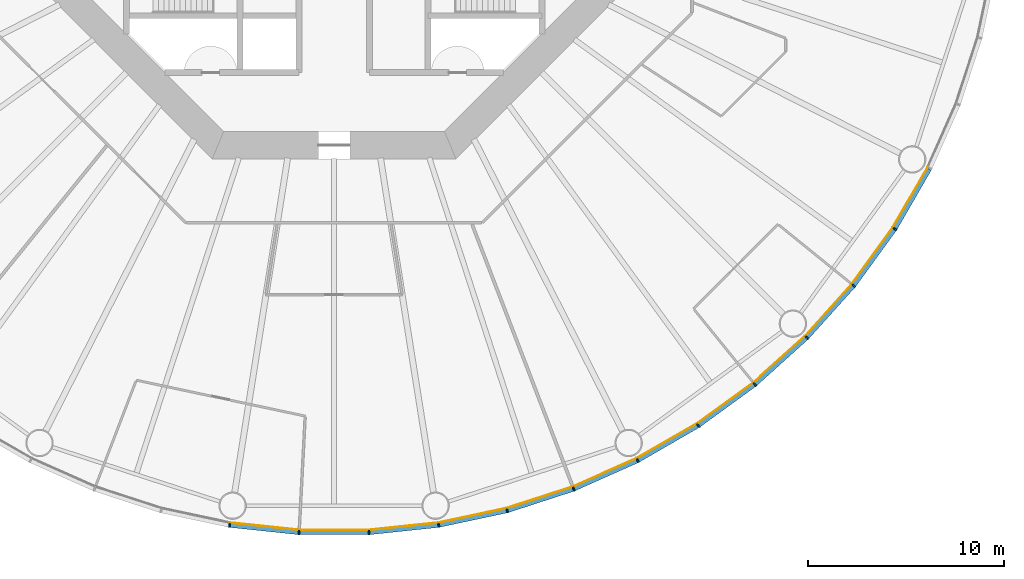
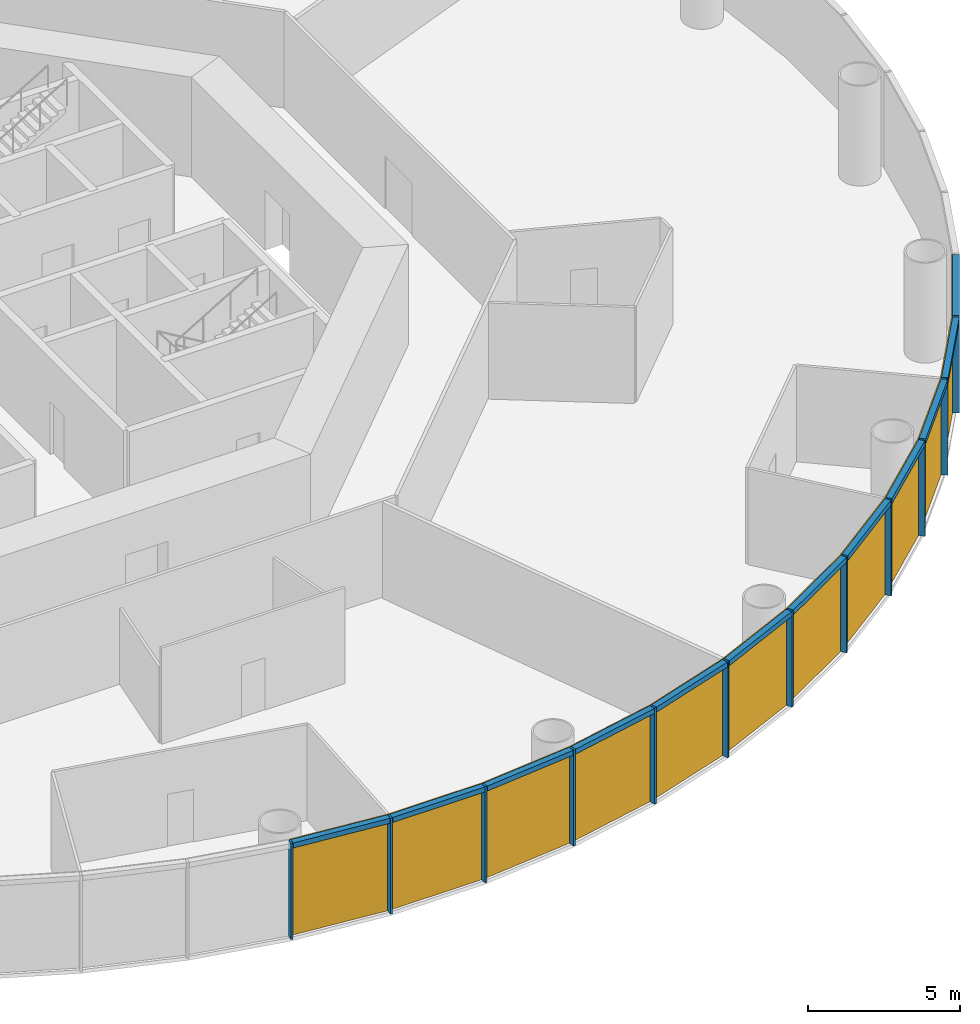
# One storey, part 8 of 13: 24 members, 4 curtain walls.
"""IFC4 building model written with IfcOpenShell, lengths in metres."""

from ifc_helpers import new_model, si_unit, direction, frame, origin, origin_2d, place, context, subcontext, project, spatial, polyline, rectangle, outline, extrude, material, layer, layer_set, material_profile, profile_set, type_object, element, aggregate, save


model = new_model("IFC4")

# Units and contexts
model_context = context("Model", 3, precision=1e-05, world=origin(), true_north=direction((0.0, 1.0)))
body_context = subcontext(model_context, "Body", "Model", "MODEL_VIEW")
ifc_project = project(units=[si_unit("LENGTHUNIT", "METRE"), si_unit("AREAUNIT", "SQUARE_METRE"), si_unit("VOLUMEUNIT", "CUBIC_METRE"), si_unit("PLANEANGLEUNIT", "RADIAN"), si_unit("MASSUNIT", "GRAM", prefix="KILO")], contexts=[model_context])

# Member
ifc_material_1 = material(Name="Anodised aluminium", Category="aluminium")
ifc_material_profile_1 = material_profile(ifc_material_1, rectangle(XDim=0.074951171875, YDim=0.219970703125, at=origin_2d()), Name="Mullion 75 x 220 mm anodised aluminium")
ifc_profile_set_1 = profile_set([ifc_material_profile_1], Name="Anodised aluminium")
member_type_1 = type_object("IfcMemberType", Name="Mullion 75 x 220 mm anodised aluminium", PredefinedType="MULLION", material=ifc_profile_set_1)
site_placement = place(None, origin())
building_placement = place(site_placement, origin())
storey_placement = place(building_placement, frame((0.0, 0.0, 62.0)))
member_1_placement = place(storey_placement, frame((84.6640625, 46.31005859375, 0.0), z_axis=(0.0, 0.0, 1.0), x_axis=(0.987688340595, -0.15643446504, 0.0)))
member_1 = element("IfcMember", 1, at=member_1_placement, type_object=member_type_1, Name="MULLION L13-42", PredefinedType="MULLION", context=body_context, shape_type="SweptSolid", body=[
    extrude(rectangle(XDim=0.074951171875, YDim=0.219970703125, at=origin_2d()), origin(), (0.0, 0.0, 1.0), 3.85009765625),
])

member_2_placement = place(storey_placement, frame((88.21484375, 45.936767578125, 0.0), z_axis=(0.0, 0.0, 1.0), x_axis=(0.998629534755, -0.052335956243, 0.0)))
member_2 = element("IfcMember", 2, at=member_2_placement, type_object=member_type_1, Name="MULLION L13-43", PredefinedType="MULLION", context=body_context, shape_type="SweptSolid", body=[
    extrude(rectangle(XDim=0.074951171875, YDim=0.219970703125, at=origin_2d()), origin(), (0.0, 0.0, 1.0), 3.85009765625),
])

member_3_placement = place(storey_placement, frame((91.78515625, 45.936767578125, 0.0), z_axis=(0.0, 0.0, 1.0), x_axis=(0.998629534755, 0.052335956243, 0.0)))
member_3 = element("IfcMember", 3, at=member_3_placement, type_object=member_type_1, Name="MULLION L13-44", PredefinedType="MULLION", context=body_context, shape_type="SweptSolid", body=[
    extrude(rectangle(XDim=0.074951171875, YDim=0.219970703125, at=origin_2d()), origin(), (0.0, 0.0, 1.0), 3.85009765625),
])

member_4_placement = place(storey_placement, frame((95.3359375, 46.31005859375, 0.0), z_axis=(0.0, 0.0, 1.0), x_axis=(0.987688340595, 0.15643446504, 0.0)))
member_4 = element("IfcMember", 4, at=member_4_placement, type_object=member_type_1, Name="MULLION L13-45", PredefinedType="MULLION", context=body_context, shape_type="SweptSolid", body=[
    extrude(rectangle(XDim=0.074951171875, YDim=0.219970703125, at=origin_2d()), origin(), (0.0, 0.0, 1.0), 3.85009765625),
])

member_5_placement = place(storey_placement, frame((98.828369140625, 47.05224609375, 0.0), z_axis=(0.0, 0.0, 1.0), x_axis=(0.965925826289, 0.258819045103, 0.0)))
member_5 = element("IfcMember", 5, at=member_5_placement, type_object=member_type_1, Name="MULLION L13-46", PredefinedType="MULLION", context=body_context, shape_type="SweptSolid", body=[
    extrude(rectangle(XDim=0.074951171875, YDim=0.219970703125, at=origin_2d()), origin(), (0.0, 0.0, 1.0), 3.85009765625),
])

member_6_placement = place(storey_placement, frame((102.223876953125, 48.155517578125, 0.0), z_axis=(0.0, 0.0, 1.0), x_axis=(0.933580426497, 0.358367949545, 0.0)))
member_6 = element("IfcMember", 6, at=member_6_placement, type_object=member_type_1, Name="MULLION L13-47", PredefinedType="MULLION", context=body_context, shape_type="SweptSolid", body=[
    extrude(rectangle(XDim=0.074951171875, YDim=0.219970703125, at=origin_2d()), origin(), (0.0, 0.0, 1.0), 3.85009765625),
])

member_7_placement = place(storey_placement, frame((105.485595703125, 49.607666015625, 0.0), z_axis=(0.0, 0.0, 1.0), x_axis=(0.891006524188, 0.45399049974, 0.0)))
member_7 = element("IfcMember", 7, at=member_7_placement, type_object=member_type_1, Name="MULLION L13-48", PredefinedType="MULLION", context=body_context, shape_type="SweptSolid", body=[
    extrude(rectangle(XDim=0.074951171875, YDim=0.219970703125, at=origin_2d()), origin(), (0.0, 0.0, 1.0), 3.85009765625),
])

member_8_placement = place(storey_placement, frame((108.57763671875, 51.39306640625, 0.0), z_axis=(0.0, 0.0, 1.0), x_axis=(0.838670567945, 0.544639035015, 0.0)))
member_8 = element("IfcMember", 8, at=member_8_placement, type_object=member_type_1, Name="MULLION L13-49", PredefinedType="MULLION", context=body_context, shape_type="SweptSolid", body=[
    extrude(rectangle(XDim=0.074951171875, YDim=0.219970703125, at=origin_2d()), origin(), (0.0, 0.0, 1.0), 3.85009765625),
])

member_9_placement = place(storey_placement, frame((111.466064453125, 53.491455078125, 0.0), z_axis=(0.0, 0.0, 1.0), x_axis=(0.777145961457, 0.62932039105, 0.0)))
member_9 = element("IfcMember", 9, at=member_9_placement, type_object=member_type_1, Name="MULLION L13-50", PredefinedType="MULLION", context=body_context, shape_type="SweptSolid", body=[
    extrude(rectangle(XDim=0.074951171875, YDim=0.219970703125, at=origin_2d()), origin(), (0.0, 0.0, 1.0), 3.85009765625),
])

member_10_placement = place(storey_placement, frame((114.119384765625, 55.880615234375, 0.0), z_axis=(0.0, 0.0, 1.0), x_axis=(0.707106781187, 0.707106781187, 0.0)))
member_10 = element("IfcMember", 10, at=member_10_placement, type_object=member_type_1, Name="MULLION L13-51", PredefinedType="MULLION", context=body_context, shape_type="SweptSolid", body=[
    extrude(rectangle(XDim=0.074951171875, YDim=0.219970703125, at=origin_2d()), origin(), (0.0, 0.0, 1.0), 3.85009765625),
])

member_11_placement = place(storey_placement, frame((116.508544921875, 58.533935546875, 0.0), z_axis=(0.0, 0.0, 1.0), x_axis=(0.62932039105, 0.777145961457, 0.0)))
member_11 = element("IfcMember", 11, at=member_11_placement, type_object=member_type_1, Name="MULLION L13-52", PredefinedType="MULLION", context=body_context, shape_type="SweptSolid", body=[
    extrude(rectangle(XDim=0.074951171875, YDim=0.219970703125, at=origin_2d()), origin(), (0.0, 0.0, 1.0), 3.85009765625),
])

member_12_placement = place(storey_placement, frame((118.60693359375, 61.42236328125, 0.0), z_axis=(0.0, 0.0, 1.0), x_axis=(0.544639035015, 0.838670567945, 0.0)))
member_12 = element("IfcMember", 12, at=member_12_placement, type_object=member_type_1, Name="MULLION L13-53", PredefinedType="MULLION", context=body_context, shape_type="SweptSolid", body=[
    extrude(rectangle(XDim=0.074951171875, YDim=0.219970703125, at=origin_2d()), origin(), (0.0, 0.0, 1.0), 3.85009765625),
])

ifc_material_2 = material(Name="Anodised aluminium", Category="aluminium")
ifc_material_profile_2 = material_profile(ifc_material_2, rectangle(XDim=0.219970703125, YDim=0.199951171875, at=origin_2d()), Name="Transom 200 x 220 mm anodised aluminium")
ifc_profile_set_2 = profile_set([ifc_material_profile_2], Name="Anodised aluminium")
member_type_2 = type_object("IfcMemberType", Name="Transom 200 x 220 mm anodised aluminium", PredefinedType="USERDEFINED", material=ifc_profile_set_2)
member_13_placement = place(storey_placement, frame((84.70703125, 46.30517578125, 3.75), z_axis=(0.994526551648, -0.104484152234, 0.0), x_axis=(0.104484152234, 0.994526551648, 0.0)))
member_13 = element("IfcMember", 13, at=member_13_placement, type_object=member_type_2, Name="TRANSOM L13-42", ObjectType="TRANSOM", PredefinedType="USERDEFINED", context=body_context, shape_type="SweptSolid", body=[
    extrude(rectangle(XDim=0.219970703125, YDim=0.199951171875, at=origin_2d()), origin(), (0.0, 0.0, 1.0), 3.48388671875),
])

member_14_placement = place(storey_placement, frame((88.258056640625, 45.9365234375, 3.75), z_axis=(1.0, 0.0, 0.0), x_axis=(0.0, 1.0, 0.0)))
member_14 = element("IfcMember", 14, at=member_14_placement, type_object=member_type_2, Name="TRANSOM L13-43", ObjectType="TRANSOM", PredefinedType="USERDEFINED", context=body_context, shape_type="SweptSolid", body=[
    extrude(rectangle(XDim=0.219970703125, YDim=0.199951171875, at=origin_2d()), origin(), (0.0, 0.0, 1.0), 3.48388671875),
])

member_15_placement = place(storey_placement, frame((91.828125, 45.941162109375, 3.75), z_axis=(0.994526551648, 0.104484152234, 0.0), x_axis=(-0.104484152234, 0.994526551648, 0.0)))
member_15 = element("IfcMember", 15, at=member_15_placement, type_object=member_type_2, Name="TRANSOM L13-44", ObjectType="TRANSOM", PredefinedType="USERDEFINED", context=body_context, shape_type="SweptSolid", body=[
    extrude(rectangle(XDim=0.219970703125, YDim=0.199951171875, at=origin_2d()), origin(), (0.0, 0.0, 1.0), 3.48388671875),
])

member_16_placement = place(storey_placement, frame((95.37841796875, 46.31884765625, 3.75), z_axis=(0.978145669426, 0.207920776701, 0.0), x_axis=(-0.207920776701, 0.978145669426, 0.0)))
member_16 = element("IfcMember", 16, at=member_16_placement, type_object=member_type_2, Name="TRANSOM L13-45", ObjectType="TRANSOM", PredefinedType="USERDEFINED", context=body_context, shape_type="SweptSolid", body=[
    extrude(rectangle(XDim=0.219970703125, YDim=0.199951171875, at=origin_2d()), origin(), (0.0, 0.0, 1.0), 3.48388671875),
])

member_17_placement = place(storey_placement, frame((98.869384765625, 47.0654296875, 3.75), z_axis=(0.951052605696, 0.309029029702, 0.0), x_axis=(-0.309029029702, 0.951052605696, 0.0)))
member_17 = element("IfcMember", 17, at=member_17_placement, type_object=member_type_2, Name="TRANSOM L13-46", ObjectType="TRANSOM", PredefinedType="USERDEFINED", context=body_context, shape_type="SweptSolid", body=[
    extrude(rectangle(XDim=0.219970703125, YDim=0.199951171875, at=origin_2d()), origin(), (0.0, 0.0, 1.0), 3.484130859375),
])

member_18_placement = place(storey_placement, frame((102.263427734375, 48.173095703125, 3.75), z_axis=(0.913545487371, 0.406736576304, 0.0), x_axis=(-0.406736576304, 0.913545487371, 0.0)))
member_18 = element("IfcMember", 18, at=member_18_placement, type_object=member_type_2, Name="TRANSOM L13-47", ObjectType="TRANSOM", PredefinedType="USERDEFINED", context=body_context, shape_type="SweptSolid", body=[
    extrude(rectangle(XDim=0.219970703125, YDim=0.199951171875, at=origin_2d()), origin(), (0.0, 0.0, 1.0), 3.48388671875),
])

member_19_placement = place(storey_placement, frame((105.523193359375, 49.629150390625, 3.75), z_axis=(0.866022206254, 0.500005538244, 0.0), x_axis=(-0.500005538244, 0.866022206254, 0.0)))
member_19 = element("IfcMember", 19, at=member_19_placement, type_object=member_type_2, Name="TRANSOM L13-48", ObjectType="TRANSOM", PredefinedType="USERDEFINED", context=body_context, shape_type="SweptSolid", body=[
    extrude(rectangle(XDim=0.219970703125, YDim=0.199951171875, at=origin_2d()), origin(), (0.0, 0.0, 1.0), 3.48388671875),
])

member_20_placement = place(storey_placement, frame((108.61279296875, 51.418212890625, 3.75), z_axis=(0.80899056535, 0.587821627006, 0.0), x_axis=(-0.587821627006, 0.80899056535, 0.0)))
member_20 = element("IfcMember", 20, at=member_20_placement, type_object=member_type_2, Name="TRANSOM L13-49", ObjectType="TRANSOM", PredefinedType="USERDEFINED", context=body_context, shape_type="SweptSolid", body=[
    extrude(rectangle(XDim=0.219970703125, YDim=0.199951171875, at=origin_2d()), origin(), (0.0, 0.0, 1.0), 3.48388671875),
])

member_21_placement = place(storey_placement, frame((111.498291015625, 53.520263671875, 3.75), z_axis=(0.743137329876, 0.669138930974, 0.0), x_axis=(-0.669138930974, 0.743137329876, 0.0)))
member_21 = element("IfcMember", 21, at=member_21_placement, type_object=member_type_2, Name="TRANSOM L13-50", ObjectType="TRANSOM", PredefinedType="USERDEFINED", context=body_context, shape_type="SweptSolid", body=[
    extrude(rectangle(XDim=0.219970703125, YDim=0.199951171875, at=origin_2d()), origin(), (0.0, 0.0, 1.0), 3.484130859375),
])

member_22_placement = place(storey_placement, frame((114.1484375, 55.91259765625, 3.75), z_axis=(0.669138930974, 0.743137329876, 0.0), x_axis=(-0.743137329876, 0.669138930974, 0.0)))
member_22 = element("IfcMember", 22, at=member_22_placement, type_object=member_type_2, Name="TRANSOM L13-51", ObjectType="TRANSOM", PredefinedType="USERDEFINED", context=body_context, shape_type="SweptSolid", body=[
    extrude(rectangle(XDim=0.219970703125, YDim=0.199951171875, at=origin_2d()), origin(), (0.0, 0.0, 1.0), 3.484130859375),
])

member_23_placement = place(storey_placement, frame((116.533935546875, 58.56884765625, 3.75), z_axis=(0.587821627006, 0.80899056535, 0.0), x_axis=(-0.80899056535, 0.587821627006, 0.0)))
member_23 = element("IfcMember", 23, at=member_23_placement, type_object=member_type_2, Name="TRANSOM L13-52", ObjectType="TRANSOM", PredefinedType="USERDEFINED", context=body_context, shape_type="SweptSolid", body=[
    extrude(rectangle(XDim=0.219970703125, YDim=0.199951171875, at=origin_2d()), origin(), (0.0, 0.0, 1.0), 3.48388671875),
])

member_24_placement = place(storey_placement, frame((118.62890625, 61.459716796875, 3.75), z_axis=(0.500005538244, 0.866022206254, 0.0), x_axis=(-0.866022206254, 0.500005538244, 0.0)))
member_24 = element("IfcMember", 24, at=member_24_placement, type_object=member_type_2, Name="TRANSOM L13-53", ObjectType="TRANSOM", PredefinedType="USERDEFINED", context=body_context, shape_type="SweptSolid", body=[
    extrude(rectangle(XDim=0.219970703125, YDim=0.199951171875, at=origin_2d()), origin(), (0.0, 0.0, 1.0), 3.48388671875),
])

# Site, building, storey
site = spatial("IfcSite", under=ifc_project, at=site_placement, CompositionType="ELEMENT")
building = spatial("IfcBuilding", under=site, at=building_placement, Name="Entoto Ring Tower", CompositionType="ELEMENT")
storey = spatial("IfcBuildingStorey", under=building, at=storey_placement, Name="L13", CompositionType="ELEMENT", Elevation=62.0)

# Curtain wall
ifc_material_3 = material(Name="Clear low-iron glass", Category="glass")
ifc_layer = layer(ifc_material_3, 0.0400390625)
ifc_layer_set = layer_set([ifc_layer], Name="Clear low-iron glass")
curtain_wall_type = type_object("IfcCurtainWallType", Name="Curtain wall system CW1 glazing 40 mm", PredefinedType="NOTDEFINED", material=ifc_layer_set)
curtain_wall_1_placement = place(storey_placement, origin())
curtain_wall_1 = element("IfcCurtainWall", 25, at=curtain_wall_1_placement, inside=storey, type_object=curtain_wall_type, Name="CW1 L13-15", PredefinedType="NOTDEFINED", context=body_context, shape_type="SweptSolid", body=[
    extrude(outline(polyline([(84.68115234375, 46.418701171875), (88.220458984375, 46.046630859375), (91.779541015625, 46.046630859375), (95.31884765625, 46.418701171875), (95.3125, 46.458251953125), (91.77734375, 46.086669921875), (88.22265625, 46.086669921875), (84.6875, 46.458251953125), (84.68115234375, 46.418701171875)])), origin(), (0.0, 0.0, 1.0), 3.85009765625),
])

aggregate(curtain_wall_1, [member_1, member_2, member_3, member_13, member_14, member_15])

curtain_wall_2_placement = place(storey_placement, origin())
curtain_wall_2 = element("IfcCurtainWall", 26, at=curtain_wall_2_placement, inside=storey, type_object=curtain_wall_type, Name="CW1 L13-16", PredefinedType="NOTDEFINED", context=body_context, shape_type="SweptSolid", body=[
    extrude(outline(polyline([(95.31884765625, 46.418701171875), (98.7998046875, 47.158447265625), (102.1845703125, 48.25830078125), (105.435791015625, 49.705810546875), (105.41748046875, 49.741455078125), (102.170166015625, 48.295654296875), (98.78955078125, 47.197265625), (95.3125, 46.458251953125), (95.31884765625, 46.418701171875)])), origin(), (0.0, 0.0, 1.0), 3.85009765625),
])

aggregate(curtain_wall_2, [member_4, member_5, member_6, member_16, member_17, member_18])

curtain_wall_3_placement = place(storey_placement, origin())
curtain_wall_3 = element("IfcCurtainWall", 27, at=curtain_wall_3_placement, inside=storey, type_object=curtain_wall_type, Name="CW1 L13-17", PredefinedType="NOTDEFINED", context=body_context, shape_type="SweptSolid", body=[
    extrude(outline(polyline([(105.435791015625, 49.705810546875), (108.517822265625, 51.485107421875), (111.39697265625, 53.5771484375), (114.041748046875, 55.958251953125), (114.013427734375, 55.986572265625), (111.37158203125, 53.608154296875), (108.495849609375, 51.518798828125), (105.41748046875, 49.741455078125), (105.435791015625, 49.705810546875)])), origin(), (0.0, 0.0, 1.0), 3.85009765625),
])

aggregate(curtain_wall_3, [member_7, member_8, member_9, member_19, member_20, member_21])

curtain_wall_4_placement = place(storey_placement, origin())
curtain_wall_4 = element("IfcCurtainWall", 28, at=curtain_wall_4_placement, inside=storey, type_object=curtain_wall_type, Name="CW1 L13-18", PredefinedType="NOTDEFINED", context=body_context, shape_type="SweptSolid", body=[
    extrude(outline(polyline([(114.041748046875, 55.958251953125), (116.4228515625, 58.60302734375), (118.514892578125, 61.482177734375), (120.294189453125, 64.564208984375), (120.258544921875, 64.58251953125), (118.481201171875, 61.504150390625), (116.391845703125, 58.62841796875), (114.013427734375, 55.986572265625), (114.041748046875, 55.958251953125)])), origin(), (0.0, 0.0, 1.0), 3.85009765625),
])

aggregate(curtain_wall_4, [member_10, member_11, member_12, member_22, member_23, member_24])

save(model, "model.ifc")
